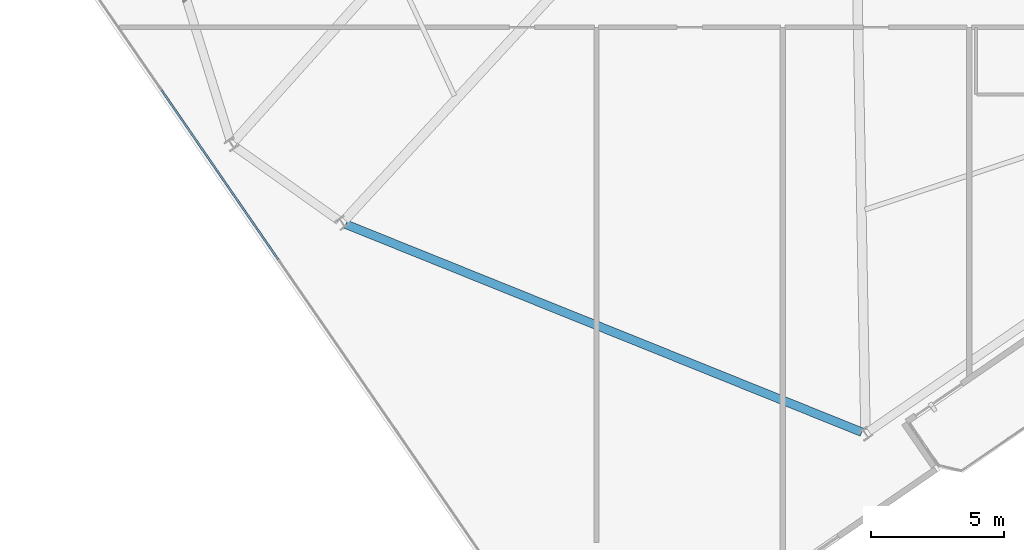
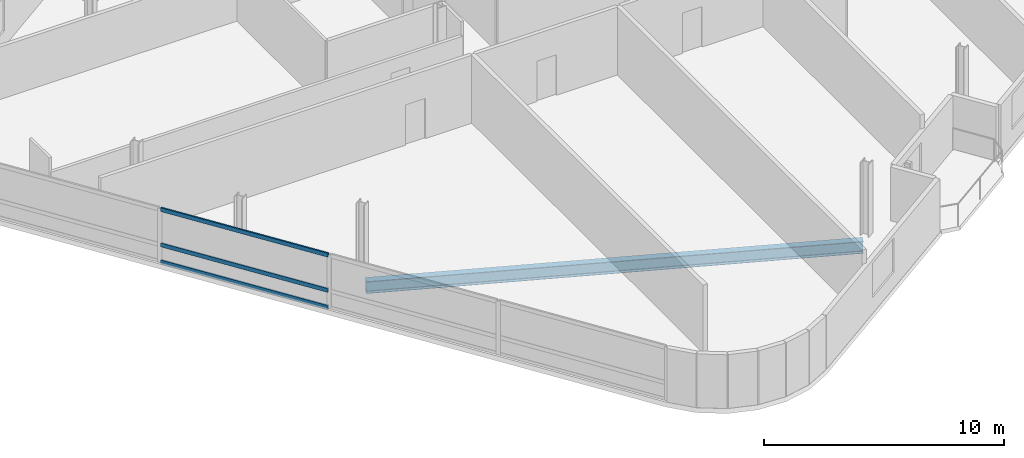
# One storey, part 4 of 21: 3 members, 1 beam, 1 element without a shape of its own.
"""IFC4 building model written with IfcOpenShell, lengths in metres."""

from ifc_helpers import new_model, si_unit, direction, frame, origin, origin_2d, place, context, subcontext, project, spatial, hollow_rectangle, i_section, extrude, material, layer, layer_set, material_profile, profile_set, type_object, element, aggregate, save


model = new_model("IFC4")

# Units and contexts
model_context = context("Model", 3, precision=1e-05, world=origin(), true_north=direction((0.0, 1.0)))
body_context = subcontext(model_context, "Body", "Model", "MODEL_VIEW")
ifc_project = project(units=[si_unit("LENGTHUNIT", "METRE"), si_unit("AREAUNIT", "SQUARE_METRE"), si_unit("VOLUMEUNIT", "CUBIC_METRE"), si_unit("PLANEANGLEUNIT", "RADIAN"), si_unit("MASSUNIT", "GRAM", prefix="KILO")], contexts=[model_context])

# Site, building, storey
site_placement = place(None, origin())
site = spatial("IfcSite", under=ifc_project, at=site_placement, CompositionType="ELEMENT")
building_placement = place(site_placement, origin())
building = spatial("IfcBuilding", under=site, at=building_placement, Name="Varnelok Gate Tower", CompositionType="ELEMENT")
storey_placement = place(building_placement, frame((0.0, 0.0, 265.60009765625)))
storey = spatial("IfcBuildingStorey", under=building, at=storey_placement, Name="L68", CompositionType="ELEMENT", Elevation=265.60009765625)

# Beam
ifc_material_1 = material(Name="Structural Steel ASTM A992 Grade 50", Category="steel")
ifc_material_profile_1 = material_profile(ifc_material_1, i_section(OverallWidth=0.323974609375, OverallDepth=0.611083984375, WebThickness=0.0126953125, FlangeThickness=0.01904296875, FilletRadius=0.01806640625, at=origin_2d()), Name="W24X104")
ifc_profile_set_1 = profile_set([ifc_material_profile_1], Name="Structural Steel ASTM A992 Grade 50")
beam_type = type_object("IfcBeamType", Name="BM-SPN-W24X104", PredefinedType="SPANDREL", material=ifc_profile_set_1)
beam_placement = place(storey_placement, frame((14.581787109375, 7.94775390625, -0.5556640625), z_axis=(0.927546574087, -0.373707576722, 0.0), x_axis=(0.373707576722, 0.927546574087, 0.0)))
element("IfcBeam", 1, at=beam_placement, inside=storey, type_object=beam_type, Name="L68 Perimeter Spandrel Beam 16", PredefinedType="SPANDREL", context=body_context, shape_type="SweptSolid", body=[
    extrude(i_section(OverallWidth=0.323974609375, OverallDepth=0.611083984375, WebThickness=0.0126953125, FlangeThickness=0.01904296875, FilletRadius=0.01806640625, at=origin_2d()), origin(), (0.0, 0.0, 1.0), 20.90087890625),
])

# Curtain wall, members
ifc_material_2 = material(Name="Anodized Aluminum Alloy 6063-T6", Category="aluminium")
ifc_layer = layer(ifc_material_2, 0.179931640625)
ifc_layer_set = layer_set([ifc_layer], Name="Anodized Aluminum Alloy 6063-T6")
curtain_wall_type = type_object("IfcCurtainWallType", Name="CW4-RESIDENCE-VISION", PredefinedType="USERDEFINED", material=ifc_layer_set)
curtain_wall_placement = place(storey_placement, origin())
curtain_wall = element("IfcCurtainWall", 2, at=curtain_wall_placement, inside=storey, type_object=curtain_wall_type, Name="L68 West End Vision Curtain Wall", ObjectType="UNITISED CURTAIN WALL", PredefinedType="USERDEFINED")
ifc_material_profile_2 = material_profile(ifc_material_2, hollow_rectangle(XDim=0.074951171875, YDim=0.199951171875, WallThickness=0.00390625, at=origin_2d()), Name="ALU200X75X4")
ifc_profile_set_2 = profile_set([ifc_material_profile_2], Name="Anodized Aluminum Alloy 6063-T6")
member_type = type_object("IfcMemberType", Name="CW-TRAN-200", PredefinedType="USERDEFINED", material=ifc_profile_set_2)
member_1_placement = place(storey_placement, frame((12.03515625, 6.6337890625, 0.037353515625), z_axis=(-0.567275705555, 0.823527943598, 0.0), x_axis=(-0.823527943598, -0.567275705555, 0.0)))
member_1 = element("IfcMember", 3, at=member_1_placement, type_object=member_type, Name="CW4 transom 3.1", ObjectType="TRANSOM", PredefinedType="USERDEFINED", context=body_context, shape_type="SweptSolid", body=[
    extrude(hollow_rectangle(XDim=0.074951171875, YDim=0.199951171875, WallThickness=0.00390625, at=origin_2d()), origin(), (0.0, 0.0, 1.0), 7.724853515625),
])
member_2_placement = place(storey_placement, frame((12.03515625, 6.6337890625, 0.89990234375), z_axis=(-0.567275705555, 0.823527943598, 0.0), x_axis=(-0.823527943598, -0.567275705555, 0.0)))
member_2 = element("IfcMember", 4, at=member_2_placement, type_object=member_type, Name="CW4 transom 3.2", ObjectType="TRANSOM", PredefinedType="USERDEFINED", context=body_context, shape_type="SweptSolid", body=[
    extrude(hollow_rectangle(XDim=0.074951171875, YDim=0.199951171875, WallThickness=0.00390625, at=origin_2d()), origin(), (0.0, 0.0, 1.0), 7.724853515625),
])
member_3_placement = place(storey_placement, frame((12.03515625, 6.6337890625, 2.6923828125), z_axis=(-0.567275705555, 0.823527943598, 0.0), x_axis=(-0.823527943598, -0.567275705555, 0.0)))
member_3 = element("IfcMember", 5, at=member_3_placement, type_object=member_type, Name="CW4 transom 3.3", ObjectType="TRANSOM", PredefinedType="USERDEFINED", context=body_context, shape_type="SweptSolid", body=[
    extrude(hollow_rectangle(XDim=0.074951171875, YDim=0.199951171875, WallThickness=0.00390625, at=origin_2d()), origin(), (0.0, 0.0, 1.0), 7.724853515625),
])
aggregate(curtain_wall, [member_1, member_2, member_3])

save(model, "model.ifc")
